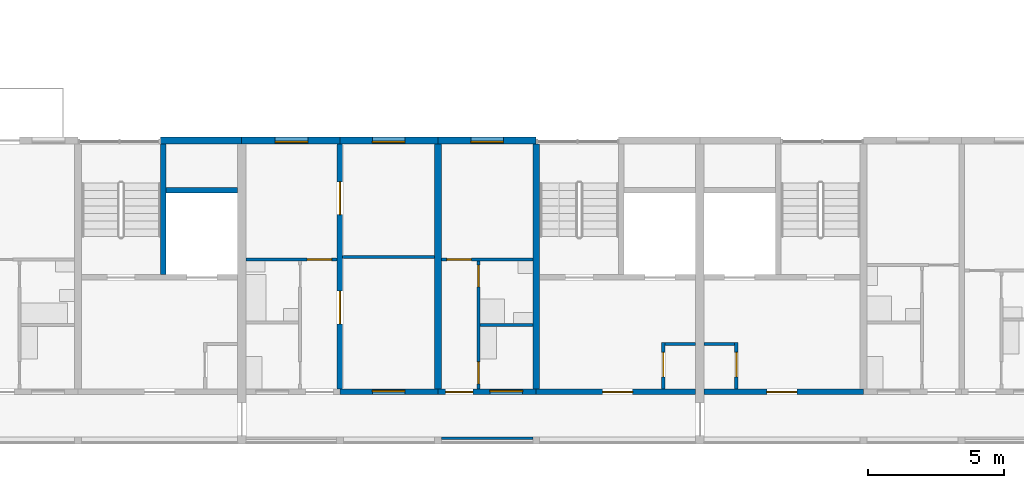
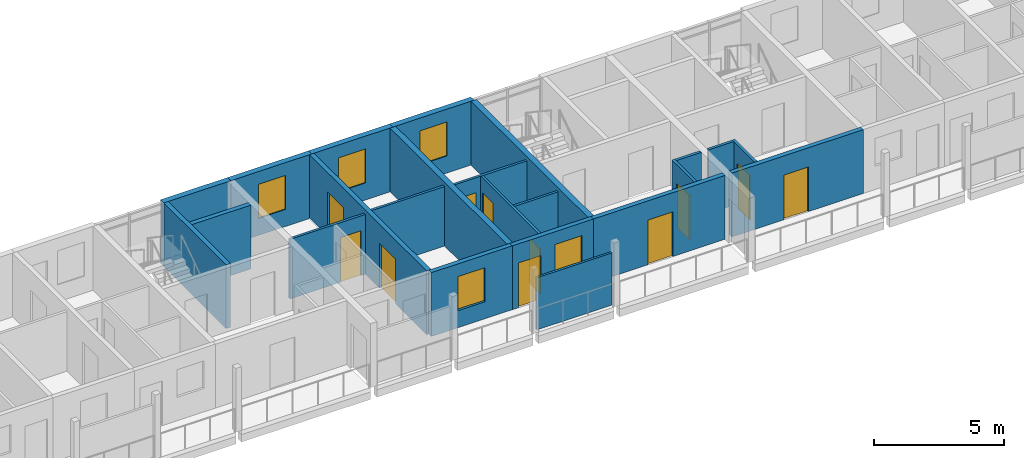
# One storey, part 38 of 93: 23 walls, 11 doors, 5 windows, 16 openings.
"""IFC4 building model written with IfcOpenShell, lengths in metres."""

import ifcopenshell
import ifcopenshell.guid

model = None  # the IFC model being written
_history = None  # IfcOwnerHistory: only IFC2X3 demands one
_inside = {}  # id of a spatial element -> (the spatial element, [elements in it])
_under = {}  # id of a project, library or spatial element -> (it, [spatial elements below it])
_declared = {}  # id of a project -> (the project, [libraries it declares])
_typed = {}  # id of a type object -> (the type object, [elements of that type])
_made_of = {}  # id of a material, layer set ... -> (it, [elements and type objects made of it])


def new_model(schema):
    """Start an empty IFC model of exactly this schema.

    Asked for "IFC4X3", IfcOpenShell would pick the latest addendum, in which some entities
    have other attributes; the version numbers below select the first issue.
    IFC2X3 requires an IfcOwnerHistory on every rooted entity: one is made here for all.
    """
    global model, _history
    if schema == "IFC4X3":
        model = ifcopenshell.file(schema_version=(4, 3, 0, 0))
    else:
        model = ifcopenshell.file(schema=schema)
    _inside.clear()
    _under.clear()
    _declared.clear()
    _typed.clear()
    _made_of.clear()
    _history = None
    if model.schema == "IFC2X3":
        org = make("IfcOrganization", Name="unknown")
        user = make(
            "IfcPersonAndOrganization",
            ThePerson=make("IfcPerson", FamilyName="unknown"),
            TheOrganization=org,
        )
        app = make(
            "IfcApplication",
            ApplicationDeveloper=org,
            Version="unknown",
            ApplicationFullName="unknown",
            ApplicationIdentifier="unknown",
        )
        _history = make(
            "IfcOwnerHistory",
            OwningUser=user,
            OwningApplication=app,
            ChangeAction="ADDED",
            CreationDate=0,
        )
    return model


def make(cls, **values):
    """One entity of the class cls with the attributes given. An attribute that is None is left unset."""
    return model.create_entity(
        cls, **{name: value for name, value in values.items() if value is not None}
    )


def rooted(cls, **values):
    """An entity with a GlobalId (a new one), such as an element, a storey or a relation."""
    return make(cls, GlobalId=ifcopenshell.guid.new(), OwnerHistory=_history, **values)


def si_unit(unit_type, name, prefix=None):
    """IfcSIUnit, for example si_unit("LENGTHUNIT", "METRE", prefix="MILLI")."""
    return make("IfcSIUnit", UnitType=unit_type, Prefix=prefix, Name=name)


def assignment(units):
    """IfcUnitAssignment: the units of a project."""
    return None if units is None else make("IfcUnitAssignment", Units=units)


def point(xyz):
    """IfcCartesianPoint."""
    return None if xyz is None else make("IfcCartesianPoint", Coordinates=xyz)


def direction(xyz):
    """IfcDirection."""
    return None if xyz is None else make("IfcDirection", DirectionRatios=xyz)


def frame(location, z_axis=None, x_axis=None):
    """IfcAxis2Placement3D, a coordinate frame: its origin and axes. An axis left out is left unset."""
    return make(
        "IfcAxis2Placement3D",
        Location=point(location),
        Axis=direction(z_axis),
        RefDirection=direction(x_axis),
    )


def frame_2d(location, x_axis=None):
    """IfcAxis2Placement2D, a coordinate frame in the plane: its origin and x axis."""
    return make(
        "IfcAxis2Placement2D", Location=point(location), RefDirection=direction(x_axis)
    )


def origin():
    """The frame at (0, 0, 0) with its axes left unset."""
    return frame((0.0, 0.0, 0.0))


def place(relative_to, where):
    """IfcLocalPlacement: puts the frame where relative to a parent placement (None: the world)."""
    return make(
        "IfcLocalPlacement", PlacementRelTo=relative_to, RelativePlacement=where
    )


def context(
    kind, dimensions, precision=None, world=None, true_north=None, identifier=None
):
    """IfcGeometricRepresentationContext, for example the 3D "Model" context."""
    return make(
        "IfcGeometricRepresentationContext",
        ContextIdentifier=identifier,
        ContextType=kind,
        CoordinateSpaceDimension=dimensions,
        Precision=precision,
        WorldCoordinateSystem=world,
        TrueNorth=true_north,
    )


def subcontext(parent, identifier, kind, view, scale=None):
    """IfcGeometricRepresentationSubContext, for example "Body" below "Model"."""
    return make(
        "IfcGeometricRepresentationSubContext",
        ContextIdentifier=identifier,
        ContextType=kind,
        ParentContext=parent,
        TargetScale=scale,
        TargetView=view,
    )


def project(units=None, contexts=None):
    """IfcProject with its units and contexts."""
    return rooted(
        "IfcProject",
        Name="project",
        RepresentationContexts=contexts,
        UnitsInContext=assignment(units),
    )


def spatial(cls, under=None, at=None, **own):
    """A site, building, storey or space (cls), placed at a placement, below another one or the project."""
    s = rooted(cls, ObjectPlacement=at, **own)
    if under is not None:
        _under.setdefault(under.id(), (under, []))[1].append(s)
    return s


def profile(cls, at=None, kind="AREA", **sizes):
    """A parametric profile (cls). Its sizes go by their IFC names, for example OverallWidth=200.0."""
    return make(cls, ProfileType=kind, Position=at, **sizes)


def rectangle(**sizes):
    """IfcRectangleProfileDef."""
    return profile("IfcRectangleProfileDef", **sizes)


def extrude(swept, where, along, depth):
    """IfcExtrudedAreaSolid: the profile swept, set in the frame where, extruded along a direction by depth."""
    return make(
        "IfcExtrudedAreaSolid",
        SweptArea=swept,
        Position=where,
        ExtrudedDirection=direction(along),
        Depth=depth,
    )


def shape(context_of_items, identifier, shape_type, items):
    """IfcShapeRepresentation: the items that make up one representation, for example the "Body"."""
    return make(
        "IfcShapeRepresentation",
        ContextOfItems=context_of_items,
        RepresentationIdentifier=identifier,
        RepresentationType=shape_type,
        Items=items,
    )


def material(Name=None, Category=None):
    """IfcMaterial."""
    return make("IfcMaterial", Name=Name, Category=Category)


def layer(
    of_material, thickness, ventilated=None, Name=None, Category=None, Priority=None
):
    """IfcMaterialLayer: one layer of a wall or slab, of a material (None: an air gap)."""
    return make(
        "IfcMaterialLayer",
        Material=of_material,
        LayerThickness=thickness,
        IsVentilated=ventilated,
        Name=Name,
        Category=Category,
        Priority=Priority,
    )


def layer_set(layers, Name=None):
    """IfcMaterialLayerSet."""
    return make("IfcMaterialLayerSet", MaterialLayers=layers, LayerSetName=Name)


def made_of(thing, what):
    """Note that an element or type object is made of a material, layer set ...; save() writes the relation."""
    if what is not None:
        _made_of.setdefault(what.id(), (what, []))[1].append(thing)
    return thing


def type_object(cls, material=None, **own):
    """A type object (cls), such as IfcWallType, which elements share."""
    return made_of(rooted(cls, **own), material)


def element(
    cls,
    number,
    at=None,
    inside=None,
    cuts=None,
    type_object=None,
    material=None,
    context=None,
    identifier="Body",
    shape_type=None,
    held_by="IfcProductDefinitionShape",
    body=None,
    shapes=None,
    **own,
):
    """One element of the class cls, such as IfcWall. Its Tag is "e" and its number.

    at: its placement. inside: the storey or other place that contains it. cuts: it is an
    opening in that element (IfcRelVoidsElement). A single representation is given by context,
    identifier, shape_type and body (its items); several are given by shapes. held_by: the class
    of the entity that holds the representations. save() writes the other relations.
    """
    e = rooted(cls, Tag="e%d" % number, ObjectPlacement=at, **own)
    if body is not None:
        shapes = [shape(context, identifier, shape_type, body)]
    if shapes is not None:
        e.Representation = make(held_by, Representations=shapes)
    if inside is not None:
        _inside.setdefault(inside.id(), (inside, []))[1].append(e)
    if cuts is not None:
        rooted(
            "IfcRelVoidsElement", RelatingBuildingElement=cuts, RelatedOpeningElement=e
        )
    if type_object is not None:
        _typed.setdefault(type_object.id(), (type_object, []))[1].append(e)
    return made_of(e, material)


def fill(opening, filler):
    """IfcRelFillsElement: the door or window that sits in an opening."""
    return rooted(
        "IfcRelFillsElement",
        RelatingOpeningElement=opening,
        RelatedBuildingElement=filler,
    )


def aggregate(whole, parts):
    """IfcRelAggregates: a whole, such as a stair, and the parts it consists of."""
    return rooted("IfcRelAggregates", RelatingObject=whole, RelatedObjects=parts)


def save(model, path):
    """Write the relations noted so far, then the file.

    IfcRelAggregates (storeys below a building ...), IfcRelContainedInSpatialStructure (elements
    in a storey), IfcRelDefinesByType, IfcRelAssociatesMaterial and IfcRelDeclares: one each for
    every whole, place, type object, material and project.
    """
    for whole, parts in _under.values():
        aggregate(whole, parts)
    for where, things in _inside.values():
        rooted(
            "IfcRelContainedInSpatialStructure",
            RelatedElements=things,
            RelatingStructure=where,
        )
    for kind, things in _typed.values():
        rooted("IfcRelDefinesByType", RelatedObjects=things, RelatingType=kind)
    for what, things in _made_of.values():
        rooted("IfcRelAssociatesMaterial", RelatedObjects=things, RelatingMaterial=what)
    for by, libraries in _declared.values():
        rooted("IfcRelDeclares", RelatingContext=by, RelatedDefinitions=libraries)
    model.write(path)


model = new_model("IFC4")

# Units and contexts
model_context = context("Model", 3, precision=1e-05, world=origin(), true_north=direction((0.0, 1.0)))
body_context = subcontext(model_context, "Body", "Model", "MODEL_VIEW")
ifc_project = project(units=[si_unit("LENGTHUNIT", "METRE"), si_unit("AREAUNIT", "SQUARE_METRE"), si_unit("VOLUMEUNIT", "CUBIC_METRE"), si_unit("PLANEANGLEUNIT", "RADIAN"), si_unit("MASSUNIT", "GRAM", prefix="KILO")], contexts=[model_context])

# Site, building, storey
site_placement = place(None, origin())
site = spatial("IfcSite", under=ifc_project, at=site_placement, CompositionType="ELEMENT")
building_placement = place(site_placement, origin())
building = spatial("IfcBuilding", under=site, at=building_placement, Name="Ridgestep Commons", CompositionType="ELEMENT")
storey_placement = place(building_placement, frame((0.0, 0.0, 18.0)))
storey = spatial("IfcBuildingStorey", under=building, at=storey_placement, Name="L06", CompositionType="ELEMENT", Elevation=18.0)

# Wall
ifc_material_1 = material(Name="Concrete C30/37", Category="concrete")
ifc_layer_1 = layer(ifc_material_1, 0.25)
ifc_layer_set_1 = layer_set([ifc_layer_1], Name="Core cross wall 250")
wall_type_1 = type_object("IfcWallType", Name="Core cross wall 250", PredefinedType="SHEAR", material=ifc_layer_set_1)
wall_1_placement = place(storey_placement, frame((90.0, 13.75, 0.0), z_axis=(0.0, 0.0, 1.0), x_axis=(0.0, 1.0, 0.0)))
element("IfcWall", 1, at=wall_1_placement, inside=storey, type_object=wall_type_1, Name="Cross wall A-06-0900", PredefinedType="SHEAR", context=body_context, shape_type="SweptSolid", body=[
    extrude(rectangle(XDim=9.0, YDim=0.25, at=frame_2d((4.5, 0.0))), origin(), (0.0, 0.0, 1.0), 3.0),
])

# Wall, opening, door
ifc_material_2 = material(Name="Concrete C30/37", Category="concrete")
ifc_layer_2 = layer(ifc_material_2, 0.199951171875)
ifc_layer_set_2 = layer_set([ifc_layer_2], Name="Core south wall 200")
wall_type_2 = type_object("IfcWallType", Name="Core south wall 200", PredefinedType="SHEAR", material=ifc_layer_set_2)
wall_2_placement = place(storey_placement, frame((90.0, 13.64990234375, 0.0), z_axis=(0.0, 0.0, 1.0), x_axis=(1.0, 0.0, 0.0)))
wall_2 = element("IfcWall", 2, at=wall_2_placement, inside=storey, type_object=wall_type_2, Name="Core south wall A5C L06", PredefinedType="SHEAR", context=body_context, shape_type="SweptSolid", body=[
    extrude(rectangle(XDim=5.85009765625, YDim=0.199951171875, at=frame_2d((2.925048828125, 0.0))), origin(), (0.0, 0.0, 1.0), 3.0),
])
opening_1_placement = place(wall_2_placement, frame((2.4375, 0.0, 0.0)))
opening_1 = element("IfcOpeningElement", 3, at=opening_1_placement, cuts=wall_2, Name="Opening A5C/06/1", PredefinedType="OPENING", context=body_context, shape_type="SweptSolid", body=[
    extrude(rectangle(XDim=1.10009765625, YDim=2.10009765625, at=frame_2d((0.550048828125, 1.050048828125))), frame((0.0, 0.10986328125, 0.0), z_axis=(0.0, -1.0, 0.0), x_axis=(1.0, 0.0, 0.0)), (0.0, 0.0, 1.0), 0.219970703125),
])
ifc_material_3 = material(Name="Steel fire door", Category="steel")
door_type_1 = type_object("IfcDoorType", Name="Lobby door 1100 x 2100 FD60", OperationType="NOTDEFINED", PredefinedType="DOOR", material=ifc_material_3)
door_1_placement = place(opening_1_placement, origin())
door_1 = element("IfcDoor", 4, at=door_1_placement, inside=storey, type_object=door_type_1, Name="Lobby door A5C/06/1", OperationType="SINGLE_SWING_LEFT", OverallHeight=2.10009765625, OverallWidth=1.10009765625, PredefinedType="DOOR", context=body_context, shape_type="SweptSolid", body=[
    extrude(rectangle(XDim=1.10009765625, YDim=2.10009765625, at=frame_2d((0.550048828125, 1.050048828125))), frame((0.0, 0.02490234375, 0.0), z_axis=(0.0, -1.0, 0.0), x_axis=(1.0, 0.0, 0.0)), (0.0, 0.0, 1.0), 0.050048828125),
])
fill(opening_1, door_1)

wall_3_placement = place(storey_placement, frame((96.14990234375, 13.64990234375, 0.0), z_axis=(0.0, 0.0, 1.0), x_axis=(1.0, 0.0, 0.0)))
wall_3 = element("IfcWall", 5, at=wall_3_placement, inside=storey, type_object=wall_type_2, Name="Core south wall A6C L06", PredefinedType="SHEAR", context=body_context, shape_type="SweptSolid", body=[
    extrude(rectangle(XDim=5.85009765625, YDim=0.199951171875, at=frame_2d((2.925048828125, 0.0))), origin(), (0.0, 0.0, 1.0), 3.0),
])
opening_2_placement = place(wall_3_placement, frame((2.3125, 0.0, 0.0)))
opening_2 = element("IfcOpeningElement", 6, at=opening_2_placement, cuts=wall_3, Name="Opening A6C/06/1", PredefinedType="OPENING", context=body_context, shape_type="SweptSolid", body=[
    extrude(rectangle(XDim=1.10009765625, YDim=2.10009765625, at=frame_2d((0.550048828125, 1.050048828125))), frame((0.0, 0.10986328125, 0.0), z_axis=(0.0, -1.0, 0.0), x_axis=(1.0, 0.0, 0.0)), (0.0, 0.0, 1.0), 0.219970703125),
])
door_2_placement = place(opening_2_placement, origin())
door_2 = element("IfcDoor", 7, at=door_2_placement, inside=storey, type_object=door_type_1, Name="Lobby door A6C/06/1", OperationType="SINGLE_SWING_LEFT", OverallHeight=2.10009765625, OverallWidth=1.10009765625, PredefinedType="DOOR", context=body_context, shape_type="SweptSolid", body=[
    extrude(rectangle(XDim=1.10009765625, YDim=2.10009765625, at=frame_2d((0.550048828125, 1.050048828125))), frame((0.0, 0.02490234375, 0.0), z_axis=(0.0, -1.0, 0.0), x_axis=(1.0, 0.0, 0.0)), (0.0, 0.0, 1.0), 0.050048828125),
])
fill(opening_2, door_2)

ifc_material_4 = material(Name="Concrete C30/37", Category="concrete")
ifc_layer_3 = layer(ifc_material_4, 0.1201171875)
ifc_layer_set_3 = layer_set([ifc_layer_3], Name="Core wall 120")
wall_type_3 = type_object("IfcWallType", Name="Core wall 120", PredefinedType="SHEAR", material=ifc_layer_set_3)
wall_4_placement = place(storey_placement, frame((94.659912109375, 13.75, 0.0), z_axis=(0.0, 0.0, 1.0), x_axis=(0.0, 1.0, 0.0)))
wall_4 = element("IfcWall", 8, at=wall_4_placement, inside=storey, type_object=wall_type_3, Name="Core riser w wall A5C L06", PredefinedType="SHEAR", context=body_context, shape_type="SweptSolid", body=[
    extrude(rectangle(XDim=1.719970703125, YDim=0.1201171875, at=frame_2d((0.85986328125, 0.0))), origin(), (0.0, 0.0, 1.0), 3.0),
])
opening_3_placement = place(wall_4_placement, frame((0.449951171875, 0.0, 0.0)))
opening_3 = element("IfcOpeningElement", 9, at=opening_3_placement, cuts=wall_4, Name="Opening A5C/06/4", PredefinedType="OPENING", context=body_context, shape_type="SweptSolid", body=[
    extrude(rectangle(XDim=0.89990234375, YDim=2.10009765625, at=frame_2d((0.449951171875, 1.050048828125))), frame((0.0, 0.070068359375, 0.0), z_axis=(0.0, -1.0, 0.0), x_axis=(1.0, 0.0, 0.0)), (0.0, 0.0, 1.0), 0.14013671875),
])
ifc_material_5 = material(Name="Steel fire door", Category="steel")
door_type_2 = type_object("IfcDoorType", Name="Riser door 900 x 2100 FD60", OperationType="NOTDEFINED", PredefinedType="DOOR", material=ifc_material_5)
door_3_placement = place(opening_3_placement, origin())
door_3 = element("IfcDoor", 10, at=door_3_placement, inside=storey, type_object=door_type_2, Name="Riser door A5C/06/4", OperationType="SINGLE_SWING_LEFT", OverallHeight=2.10009765625, OverallWidth=0.89990234375, PredefinedType="DOOR", context=body_context, shape_type="SweptSolid", body=[
    extrude(rectangle(XDim=0.89990234375, YDim=2.10009765625, at=frame_2d((0.449951171875, 1.050048828125))), frame((0.0, 0.02490234375, 0.0), z_axis=(0.0, -1.0, 0.0), x_axis=(1.0, 0.0, 0.0)), (0.0, 0.0, 1.0), 0.050048828125),
])
fill(opening_3, door_3)

# Wall
wall_5_placement = place(storey_placement, frame((94.719970703125, 15.409912109375, 0.0), z_axis=(0.0, 0.0, 1.0), x_axis=(1.0, 0.0, 0.0)))
element("IfcWall", 11, at=wall_5_placement, inside=storey, type_object=wall_type_3, Name="Core riser n wall A5C L06", PredefinedType="SHEAR", context=body_context, shape_type="SweptSolid", body=[
    extrude(rectangle(XDim=1.130126953125, YDim=0.1201171875, at=frame_2d((0.56494140625, 0.0))), origin(), (0.0, 0.0, 1.0), 3.0),
])

# Wall, opening, door
wall_6_placement = place(storey_placement, frame((97.340087890625, 13.75, 0.0), z_axis=(0.0, 0.0, 1.0), x_axis=(0.0, 1.0, 0.0)))
wall_6 = element("IfcWall", 12, at=wall_6_placement, inside=storey, type_object=wall_type_3, Name="Core riser w wall A6C L06", PredefinedType="SHEAR", context=body_context, shape_type="SweptSolid", body=[
    extrude(rectangle(XDim=1.719970703125, YDim=0.1201171875, at=frame_2d((0.85986328125, 0.0))), origin(), (0.0, 0.0, 1.0), 3.0),
])
opening_4_placement = place(wall_6_placement, frame((0.449951171875, 0.0, 0.0)))
opening_4 = element("IfcOpeningElement", 13, at=opening_4_placement, cuts=wall_6, Name="Opening A6C/06/4", PredefinedType="OPENING", context=body_context, shape_type="SweptSolid", body=[
    extrude(rectangle(XDim=0.89990234375, YDim=2.10009765625, at=frame_2d((0.449951171875, 1.050048828125))), frame((0.0, 0.070068359375, 0.0), z_axis=(0.0, -1.0, 0.0), x_axis=(1.0, 0.0, 0.0)), (0.0, 0.0, 1.0), 0.14013671875),
])
door_4_placement = place(opening_4_placement, origin())
door_4 = element("IfcDoor", 14, at=door_4_placement, inside=storey, type_object=door_type_2, Name="Riser door A6C/06/4", OperationType="SINGLE_SWING_RIGHT", OverallHeight=2.10009765625, OverallWidth=0.89990234375, PredefinedType="DOOR", context=body_context, shape_type="SweptSolid", body=[
    extrude(rectangle(XDim=0.89990234375, YDim=2.10009765625, at=frame_2d((0.449951171875, 1.050048828125))), frame((0.0, 0.02490234375, 0.0), z_axis=(0.0, -1.0, 0.0), x_axis=(1.0, 0.0, 0.0)), (0.0, 0.0, 1.0), 0.050048828125),
])
fill(opening_4, door_4)

# Walls
wall_7_placement = place(storey_placement, frame((96.14990234375, 15.409912109375, 0.0), z_axis=(0.0, 0.0, 1.0), x_axis=(1.0, 0.0, 0.0)))
element("IfcWall", 15, at=wall_7_placement, inside=storey, type_object=wall_type_3, Name="Core riser n wall A6C L06", PredefinedType="SHEAR", context=body_context, shape_type="SweptSolid", body=[
    extrude(rectangle(XDim=1.130126953125, YDim=0.1201171875, at=frame_2d((0.56494140625, 0.0))), origin(), (0.0, 0.0, 1.0), 3.0),
])
ifc_material_6 = material(Name="Concrete C30/37", Category="concrete")
ifc_layer_4 = layer(ifc_material_6, 0.199951171875)
ifc_layer_set_4 = layer_set([ifc_layer_4], Name="Core wall 200")
wall_type_4 = type_object("IfcWallType", Name="Core wall 200", PredefinedType="SHEAR", material=ifc_layer_set_4)
wall_8_placement = place(storey_placement, frame((76.324951171875, 17.949951171875, 0.0), z_axis=(0.0, 0.0, 1.0), x_axis=(0.0, 1.0, 0.0)))
element("IfcWall", 16, at=wall_8_placement, inside=storey, type_object=wall_type_4, Name="Core stair wall A4C L06", PredefinedType="SHEAR", context=body_context, shape_type="SweptSolid", body=[
    extrude(rectangle(XDim=4.800048828125, YDim=0.199951171875, at=frame_2d((2.39990234375, 0.0))), origin(), (0.0, 0.0, 1.0), 3.0),
])
wall_9_placement = place(storey_placement, frame((76.425048828125, 21.050048828125, 0.0), z_axis=(0.0, 0.0, 1.0), x_axis=(1.0, 0.0, 0.0)))
element("IfcWall", 17, at=wall_9_placement, inside=storey, type_object=wall_type_4, Name="Core duct wall A4C L06", PredefinedType="SHEAR", context=body_context, shape_type="SweptSolid", body=[
    extrude(rectangle(XDim=2.625, YDim=0.199951171875, at=frame_2d((1.3125, 0.0))), origin(), (0.0, 0.0, 1.0), 3.0),
])

# Wall, openings, doors
ifc_material_7 = material(Name="Precast concrete C40/50", Category="concrete")
ifc_layer_5 = layer(ifc_material_7, 0.199951171875)
ifc_layer_set_5 = layer_set([ifc_layer_5], Name="Cross wall 200")
wall_type_5 = type_object("IfcWallType", Name="Cross wall 200", PredefinedType="SHEAR", material=ifc_layer_set_5)
wall_10_placement = place(storey_placement, frame((82.800048828125, 13.75, 0.0), z_axis=(0.0, 0.0, 1.0), x_axis=(0.0, 1.0, 0.0)))
wall_10 = element("IfcWall", 18, at=wall_10_placement, inside=storey, type_object=wall_type_5, Name="Cross wall A-06-0828", PredefinedType="SHEAR", context=body_context, shape_type="SweptSolid", body=[
    extrude(rectangle(XDim=9.0, YDim=0.199951171875, at=frame_2d((4.5, 0.0))), origin(), (0.0, 0.0, 1.0), 3.0),
])
opening_5_placement = place(wall_10_placement, frame((2.39990234375, 0.0, 0.0)))
opening_5 = element("IfcOpeningElement", 19, at=opening_5_placement, cuts=wall_10, Name="Opening A5-06a/5", PredefinedType="OPENING", context=body_context, shape_type="SweptSolid", body=[
    extrude(rectangle(XDim=1.199951171875, YDim=2.10009765625, at=frame_2d((0.60009765625, 1.050048828125))), frame((0.0, 0.10986328125, 0.0), z_axis=(0.0, -1.0, 0.0), x_axis=(1.0, 0.0, 0.0)), (0.0, 0.0, 1.0), 0.219970703125),
])
opening_6_placement = place(wall_10_placement, frame((6.39990234375, 0.0, 0.0)))
opening_6 = element("IfcOpeningElement", 20, at=opening_6_placement, cuts=wall_10, Name="Opening A5-06a/6", PredefinedType="OPENING", context=body_context, shape_type="SweptSolid", body=[
    extrude(rectangle(XDim=1.199951171875, YDim=2.10009765625, at=frame_2d((0.60009765625, 1.050048828125))), frame((0.0, 0.10986328125, 0.0), z_axis=(0.0, -1.0, 0.0), x_axis=(1.0, 0.0, 0.0)), (0.0, 0.0, 1.0), 0.219970703125),
])
ifc_material_8 = material(Name="Timber door leaf", Category="wood")
door_type_3 = type_object("IfcDoorType", Name="Double door 1200 x 2100", OperationType="DOUBLE_DOOR_SINGLE_SWING", PredefinedType="DOOR", material=ifc_material_8)
door_5_placement = place(opening_5_placement, origin())
door_5 = element("IfcDoor", 21, at=door_5_placement, inside=storey, type_object=door_type_3, Name="Double door A5-06a/5", OperationType="DOUBLE_DOOR_SINGLE_SWING", OverallHeight=2.10009765625, OverallWidth=1.199951171875, PredefinedType="DOOR", context=body_context, shape_type="SweptSolid", body=[
    extrude(rectangle(XDim=1.199951171875, YDim=2.10009765625, at=frame_2d((0.60009765625, 1.050048828125))), frame((0.0, 0.02490234375, 0.0), z_axis=(0.0, -1.0, 0.0), x_axis=(1.0, 0.0, 0.0)), (0.0, 0.0, 1.0), 0.050048828125),
])
fill(opening_5, door_5)
door_6_placement = place(opening_6_placement, origin())
door_6 = element("IfcDoor", 22, at=door_6_placement, inside=storey, type_object=door_type_3, Name="Double door A5-06a/6", OperationType="DOUBLE_DOOR_SINGLE_SWING", OverallHeight=2.10009765625, OverallWidth=1.199951171875, PredefinedType="DOOR", context=body_context, shape_type="SweptSolid", body=[
    extrude(rectangle(XDim=1.199951171875, YDim=2.10009765625, at=frame_2d((0.60009765625, 1.050048828125))), frame((0.0, 0.02490234375, 0.0), z_axis=(0.0, -1.0, 0.0), x_axis=(1.0, 0.0, 0.0)), (0.0, 0.0, 1.0), 0.050048828125),
])
fill(opening_6, door_6)

# Walls
ifc_material_9 = material(Name="Precast concrete C40/50", Category="concrete")
ifc_layer_6 = layer(ifc_material_9, 0.25)
ifc_layer_set_6 = layer_set([ifc_layer_6], Name="Cross wall 250")
wall_type_6 = type_object("IfcWallType", Name="Cross wall 250", PredefinedType="SHEAR", material=ifc_layer_set_6)
wall_11_placement = place(storey_placement, frame((86.39990234375, 13.75, 0.0), z_axis=(0.0, 0.0, 1.0), x_axis=(0.0, 1.0, 0.0)))
element("IfcWall", 23, at=wall_11_placement, inside=storey, type_object=wall_type_6, Name="Cross wall A-06-0864", PredefinedType="SHEAR", context=body_context, shape_type="SweptSolid", body=[
    extrude(rectangle(XDim=9.0, YDim=0.25, at=frame_2d((4.5, 0.0))), origin(), (0.0, 0.0, 1.0), 3.0),
])
ifc_material_10 = material(Name="Precast concrete C40/50", Category="concrete")
ifc_layer_7 = layer(ifc_material_10, 0.25)
ifc_layer_set_7 = layer_set([ifc_layer_7], Name="North facade panel 250")
wall_type_7 = type_object("IfcWallType", Name="North facade panel 250", PredefinedType="SOLIDWALL", material=ifc_layer_set_7)
wall_12_placement = place(storey_placement, frame((76.22509765625, 22.875, 0.0), z_axis=(0.0, 0.0, 1.0), x_axis=(1.0, 0.0, 0.0)))
element("IfcWall", 24, at=wall_12_placement, inside=storey, type_object=wall_type_7, Name="North panel A4C L06", PredefinedType="SOLIDWALL", context=body_context, shape_type="SweptSolid", body=[
    extrude(rectangle(XDim=2.974853515625, YDim=0.25, at=frame_2d((1.4873046875, 0.0))), origin(), (0.0, 0.0, 1.0), 3.0),
])

# Wall, opening, window
wall_13_placement = place(storey_placement, frame((79.199951171875, 22.875, 0.0), z_axis=(0.0, 0.0, 1.0), x_axis=(1.0, 0.0, 0.0)))
wall_13 = element("IfcWall", 25, at=wall_13_placement, inside=storey, type_object=wall_type_7, Name="North panel A5T1 L06", PredefinedType="SOLIDWALL", context=body_context, shape_type="SweptSolid", body=[
    extrude(rectangle(XDim=3.60009765625, YDim=0.25, at=frame_2d((1.800048828125, 0.0))), origin(), (0.0, 0.0, 1.0), 3.0),
])
opening_7_placement = place(wall_13_placement, frame((1.22509765625, 0.0, 0.800048828125)))
opening_7 = element("IfcOpeningElement", 26, at=opening_7_placement, cuts=wall_13, Name="Opening W11", PredefinedType="OPENING", context=body_context, shape_type="SweptSolid", body=[
    extrude(rectangle(XDim=1.199951171875, YDim=1.60009765625, at=frame_2d((0.60009765625, 0.800048828125))), frame((0.0, 0.135009765625, 0.0), z_axis=(0.0, -1.0, 0.0), x_axis=(1.0, 0.0, 0.0)), (0.0, 0.0, 1.0), 0.27001953125),
])
ifc_material_11 = material(Name="Aluminium 6063-T6 and glass", Category="aluminium")
window_type_1 = type_object("IfcWindowType", Name="Flat window 1200 x 1600", PartitioningType="SINGLE_PANEL", PredefinedType="WINDOW", material=ifc_material_11)
window_1_placement = place(opening_7_placement, origin())
window_1 = element("IfcWindow", 27, at=window_1_placement, inside=storey, type_object=window_type_1, Name="Window A5-06a 4", OverallHeight=1.60009765625, OverallWidth=1.199951171875, PartitioningType="SINGLE_PANEL", PredefinedType="WINDOW", context=body_context, shape_type="SweptSolid", body=[
    extrude(rectangle(XDim=1.199951171875, YDim=1.60009765625, at=frame_2d((0.60009765625, 0.800048828125))), frame((0.0, -0.02490234375, 0.0), z_axis=(0.0, -1.0, 0.0), x_axis=(1.0, 0.0, 0.0)), (0.0, 0.0, 1.0), 0.06005859375),
])
fill(opening_7, window_1)

wall_14_placement = place(storey_placement, frame((82.800048828125, 22.875, 0.0), z_axis=(0.0, 0.0, 1.0), x_axis=(1.0, 0.0, 0.0)))
wall_14 = element("IfcWall", 28, at=wall_14_placement, inside=storey, type_object=wall_type_7, Name="North panel A5T2 L06", PredefinedType="SOLIDWALL", context=body_context, shape_type="SweptSolid", body=[
    extrude(rectangle(XDim=3.599853515625, YDim=0.25, at=frame_2d((1.7998046875, 0.0))), origin(), (0.0, 0.0, 1.0), 3.0),
])
opening_8_placement = place(wall_14_placement, frame((1.1875, 0.0, 0.800048828125)))
opening_8 = element("IfcOpeningElement", 29, at=opening_8_placement, cuts=wall_14, Name="Opening W11", PredefinedType="OPENING", context=body_context, shape_type="SweptSolid", body=[
    extrude(rectangle(XDim=1.199951171875, YDim=1.60009765625, at=frame_2d((0.60009765625, 0.800048828125))), frame((0.0, 0.135009765625, 0.0), z_axis=(0.0, -1.0, 0.0), x_axis=(1.0, 0.0, 0.0)), (0.0, 0.0, 1.0), 0.27001953125),
])
window_2_placement = place(opening_8_placement, origin())
window_2 = element("IfcWindow", 30, at=window_2_placement, inside=storey, type_object=window_type_1, Name="Window A5-06a 2", OverallHeight=1.60009765625, OverallWidth=1.199951171875, PartitioningType="SINGLE_PANEL", PredefinedType="WINDOW", context=body_context, shape_type="SweptSolid", body=[
    extrude(rectangle(XDim=1.199951171875, YDim=1.60009765625, at=frame_2d((0.60009765625, 0.800048828125))), frame((0.0, -0.02490234375, 0.0), z_axis=(0.0, -1.0, 0.0), x_axis=(1.0, 0.0, 0.0)), (0.0, 0.0, 1.0), 0.06005859375),
])
fill(opening_8, window_2)

wall_15_placement = place(storey_placement, frame((86.39990234375, 22.875, 0.0), z_axis=(0.0, 0.0, 1.0), x_axis=(1.0, 0.0, 0.0)))
wall_15 = element("IfcWall", 31, at=wall_15_placement, inside=storey, type_object=wall_type_7, Name="North panel A5T3 L06", PredefinedType="SOLIDWALL", context=body_context, shape_type="SweptSolid", body=[
    extrude(rectangle(XDim=3.60009765625, YDim=0.25, at=frame_2d((1.800048828125, 0.0))), origin(), (0.0, 0.0, 1.0), 3.0),
])
opening_9_placement = place(wall_15_placement, frame((1.199951171875, 0.0, 0.800048828125)))
opening_9 = element("IfcOpeningElement", 32, at=opening_9_placement, cuts=wall_15, Name="Opening W11", PredefinedType="OPENING", context=body_context, shape_type="SweptSolid", body=[
    extrude(rectangle(XDim=1.199951171875, YDim=1.60009765625, at=frame_2d((0.60009765625, 0.800048828125))), frame((0.0, 0.135009765625, 0.0), z_axis=(0.0, -1.0, 0.0), x_axis=(1.0, 0.0, 0.0)), (0.0, 0.0, 1.0), 0.27001953125),
])
window_3_placement = place(opening_9_placement, origin())
window_3 = element("IfcWindow", 33, at=window_3_placement, inside=storey, type_object=window_type_1, Name="Window A5-06b 2", OverallHeight=1.60009765625, OverallWidth=1.199951171875, PartitioningType="SINGLE_PANEL", PredefinedType="WINDOW", context=body_context, shape_type="SweptSolid", body=[
    extrude(rectangle(XDim=1.199951171875, YDim=1.60009765625, at=frame_2d((0.60009765625, 0.800048828125))), frame((0.0, -0.02490234375, 0.0), z_axis=(0.0, -1.0, 0.0), x_axis=(1.0, 0.0, 0.0)), (0.0, 0.0, 1.0), 0.06005859375),
])
fill(opening_9, window_3)

# Wall, opening, door
ifc_material_12 = material(Name="Common brick 110 mm", Category="masonry")
ifc_layer_8 = layer(ifc_material_12, 0.110107421875)
ifc_layer_set_8 = layer_set([ifc_layer_8], Name="Partition 110")
wall_type_8 = type_object("IfcWallType", Name="Partition 110", PredefinedType="PARTITIONING", material=ifc_layer_set_8)
wall_16_placement = place(storey_placement, frame((79.35009765625, 18.5048828125, 0.0), z_axis=(0.0, 0.0, 1.0), x_axis=(1.0, 0.0, 0.0)))
wall_16 = element("IfcWall", 34, at=wall_16_placement, inside=storey, type_object=wall_type_8, Name="Partition A5-06a", PredefinedType="PARTITIONING", context=body_context, shape_type="SweptSolid", body=[
    extrude(rectangle(XDim=3.349853515625, YDim=0.110107421875, at=frame_2d((1.6748046875, 0.0))), origin(), (0.0, 0.0, 1.0), 2.800048828125),
])
opening_10_placement = place(wall_16_placement, frame((2.25, 0.0, 0.0)))
opening_10 = element("IfcOpeningElement", 35, at=opening_10_placement, cuts=wall_16, Name="Opening A5-06a/4", PredefinedType="OPENING", context=body_context, shape_type="SweptSolid", body=[
    extrude(rectangle(XDim=0.89990234375, YDim=2.10009765625, at=frame_2d((0.449951171875, 1.050048828125))), frame((0.0, 0.06494140625, 0.0), z_axis=(0.0, -1.0, 0.0), x_axis=(1.0, 0.0, 0.0)), (0.0, 0.0, 1.0), 0.130126953125),
])
ifc_material_13 = material(Name="Timber door leaf", Category="wood")
door_type_4 = type_object("IfcDoorType", Name="Internal door 900 x 2100", OperationType="NOTDEFINED", PredefinedType="DOOR", material=ifc_material_13)
door_7_placement = place(opening_10_placement, origin())
door_7 = element("IfcDoor", 36, at=door_7_placement, inside=storey, type_object=door_type_4, Name="Internal door A5-06a/4", OperationType="SINGLE_SWING_RIGHT", OverallHeight=2.10009765625, OverallWidth=0.89990234375, PredefinedType="DOOR", context=body_context, shape_type="SweptSolid", body=[
    extrude(rectangle(XDim=0.89990234375, YDim=2.10009765625, at=frame_2d((0.449951171875, 1.050048828125))), frame((0.0, 0.02490234375, 0.0), z_axis=(0.0, -1.0, 0.0), x_axis=(1.0, 0.0, 0.0)), (0.0, 0.0, 1.0), 0.050048828125),
])
fill(opening_10, door_7)

# Wall
wall_17_placement = place(storey_placement, frame((82.89990234375, 18.60498046875, 0.0), z_axis=(0.0, 0.0, 1.0), x_axis=(1.0, 0.0, 0.0)))
element("IfcWall", 37, at=wall_17_placement, inside=storey, type_object=wall_type_8, Name="Partition A5-06a", PredefinedType="PARTITIONING", context=body_context, shape_type="SweptSolid", body=[
    extrude(rectangle(XDim=3.375, YDim=0.110107421875, at=frame_2d((1.6875, 0.0))), origin(), (0.0, 0.0, 1.0), 2.800048828125),
])

# Wall, openings, doors
wall_18_placement = place(storey_placement, frame((87.8798828125, 13.75, 0.0), z_axis=(0.0, 0.0, 1.0), x_axis=(0.0, 1.0, 0.0)))
wall_18 = element("IfcWall", 38, at=wall_18_placement, inside=storey, type_object=wall_type_8, Name="Partition A5-06b", PredefinedType="PARTITIONING", context=body_context, shape_type="SweptSolid", body=[
    extrude(rectangle(XDim=4.699951171875, YDim=0.110107421875, at=frame_2d((2.35009765625, 0.0))), origin(), (0.0, 0.0, 1.0), 2.800048828125),
])
opening_11_placement = place(wall_18_placement, frame((0.199951171875, 0.0, 0.0)))
opening_11 = element("IfcOpeningElement", 39, at=opening_11_placement, cuts=wall_18, Name="Opening A5-06b/2", PredefinedType="OPENING", context=body_context, shape_type="SweptSolid", body=[
    extrude(rectangle(XDim=0.800048828125, YDim=2.10009765625, at=frame_2d((0.39990234375, 1.050048828125))), frame((0.0, 0.06494140625, 0.0), z_axis=(0.0, -1.0, 0.0), x_axis=(1.0, 0.0, 0.0)), (0.0, 0.0, 1.0), 0.130126953125),
])
opening_12_placement = place(wall_18_placement, frame((3.75, 0.0, 0.0)))
opening_12 = element("IfcOpeningElement", 40, at=opening_12_placement, cuts=wall_18, Name="Opening A5-06b/3", PredefinedType="OPENING", context=body_context, shape_type="SweptSolid", body=[
    extrude(rectangle(XDim=0.800048828125, YDim=2.10009765625, at=frame_2d((0.39990234375, 1.050048828125))), frame((0.0, 0.06494140625, 0.0), z_axis=(0.0, -1.0, 0.0), x_axis=(1.0, 0.0, 0.0)), (0.0, 0.0, 1.0), 0.130126953125),
])
ifc_material_14 = material(Name="Timber door leaf", Category="wood")
door_type_5 = type_object("IfcDoorType", Name="Internal door 800 x 2100", OperationType="NOTDEFINED", PredefinedType="DOOR", material=ifc_material_14)
door_8_placement = place(opening_11_placement, origin())
door_8 = element("IfcDoor", 41, at=door_8_placement, inside=storey, type_object=door_type_5, Name="Internal door A5-06b/2", OperationType="SINGLE_SWING_RIGHT", OverallHeight=2.10009765625, OverallWidth=0.800048828125, PredefinedType="DOOR", context=body_context, shape_type="SweptSolid", body=[
    extrude(rectangle(XDim=0.800048828125, YDim=2.10009765625, at=frame_2d((0.39990234375, 1.050048828125))), frame((0.0, 0.02490234375, 0.0), z_axis=(0.0, -1.0, 0.0), x_axis=(1.0, 0.0, 0.0)), (0.0, 0.0, 1.0), 0.050048828125),
])
fill(opening_11, door_8)
door_9_placement = place(opening_12_placement, origin())
door_9 = element("IfcDoor", 42, at=door_9_placement, inside=storey, type_object=door_type_5, Name="Internal door A5-06b/3", OperationType="SINGLE_SWING_LEFT", OverallHeight=2.10009765625, OverallWidth=0.800048828125, PredefinedType="DOOR", context=body_context, shape_type="SweptSolid", body=[
    extrude(rectangle(XDim=0.800048828125, YDim=2.10009765625, at=frame_2d((0.39990234375, 1.050048828125))), frame((0.0, 0.02490234375, 0.0), z_axis=(0.0, -1.0, 0.0), x_axis=(1.0, 0.0, 0.0)), (0.0, 0.0, 1.0), 0.050048828125),
])
fill(opening_12, door_9)

# Wall
wall_19_placement = place(storey_placement, frame((87.93505859375, 16.10498046875, 0.0), z_axis=(0.0, 0.0, 1.0), x_axis=(1.0, 0.0, 0.0)))
element("IfcWall", 43, at=wall_19_placement, inside=storey, type_object=wall_type_8, Name="Partition A5-06b", PredefinedType="PARTITIONING", context=body_context, shape_type="SweptSolid", body=[
    extrude(rectangle(XDim=1.93994140625, YDim=0.110107421875, at=frame_2d((0.969970703125, 0.0))), origin(), (0.0, 0.0, 1.0), 2.800048828125),
])

# Wall, opening, door
wall_20_placement = place(storey_placement, frame((86.52490234375, 18.5048828125, 0.0), z_axis=(0.0, 0.0, 1.0), x_axis=(1.0, 0.0, 0.0)))
wall_20 = element("IfcWall", 44, at=wall_20_placement, inside=storey, type_object=wall_type_8, Name="Partition A5-06b", PredefinedType="PARTITIONING", context=body_context, shape_type="SweptSolid", body=[
    extrude(rectangle(XDim=3.35009765625, YDim=0.110107421875, at=frame_2d((1.675048828125, 0.0))), origin(), (0.0, 0.0, 1.0), 2.800048828125),
])
opening_13_placement = place(wall_20_placement, frame((0.199951171875, 0.0, 0.0)))
opening_13 = element("IfcOpeningElement", 45, at=opening_13_placement, cuts=wall_20, Name="Opening A5-06b/4", PredefinedType="OPENING", context=body_context, shape_type="SweptSolid", body=[
    extrude(rectangle(XDim=0.89990234375, YDim=2.10009765625, at=frame_2d((0.449951171875, 1.050048828125))), frame((0.0, 0.06494140625, 0.0), z_axis=(0.0, -1.0, 0.0), x_axis=(1.0, 0.0, 0.0)), (0.0, 0.0, 1.0), 0.130126953125),
])
door_10_placement = place(opening_13_placement, origin())
door_10 = element("IfcDoor", 46, at=door_10_placement, inside=storey, type_object=door_type_4, Name="Internal door A5-06b/4", OperationType="SINGLE_SWING_RIGHT", OverallHeight=2.10009765625, OverallWidth=0.89990234375, PredefinedType="DOOR", context=body_context, shape_type="SweptSolid", body=[
    extrude(rectangle(XDim=0.89990234375, YDim=2.10009765625, at=frame_2d((0.449951171875, 1.050048828125))), frame((0.0, 0.02490234375, 0.0), z_axis=(0.0, -1.0, 0.0), x_axis=(1.0, 0.0, 0.0)), (0.0, 0.0, 1.0), 0.050048828125),
])
fill(opening_13, door_10)

# Wall
ifc_material_15 = material(Name="Precast concrete C30/37", Category="concrete")
ifc_layer_9 = layer(ifc_material_15, 0.10009765625)
ifc_layer_set_9 = layer_set([ifc_layer_9], Name="Perforated gallery screen 3350 x 2450 x 100")
wall_type_9 = type_object("IfcWallType", Name="Perforated gallery screen 3350 x 2450 x 100", PredefinedType="SOLIDWALL", material=ifc_layer_set_9)
wall_21_placement = place(storey_placement, frame((86.52490234375, 11.949951171875, 0.0), z_axis=(0.0, 0.0, 1.0), x_axis=(1.0, 0.0, 0.0)))
element("IfcWall", 47, at=wall_21_placement, inside=storey, type_object=wall_type_9, Name="Gallery screen A5T3 06", PredefinedType="SOLIDWALL", context=body_context, shape_type="SweptSolid", body=[
    extrude(rectangle(XDim=3.35009765625, YDim=0.10009765625, at=frame_2d((1.675048828125, 0.0))), origin(), (0.0, 0.0, 1.0), 2.449951171875),
])

# Wall, opening, window
ifc_material_16 = material(Name="Precast concrete C40/50", Category="concrete")
ifc_layer_10 = layer(ifc_material_16, 0.199951171875)
ifc_layer_set_10 = layer_set([ifc_layer_10], Name="South facade panel 200")
wall_type_10 = type_object("IfcWallType", Name="South facade panel 200", PredefinedType="SOLIDWALL", material=ifc_layer_set_10)
wall_22_placement = place(storey_placement, frame((82.800048828125, 13.64990234375, 0.0), z_axis=(0.0, 0.0, 1.0), x_axis=(1.0, 0.0, 0.0)))
wall_22 = element("IfcWall", 48, at=wall_22_placement, inside=storey, type_object=wall_type_10, Name="South panel A5T2 L06", PredefinedType="SOLIDWALL", context=body_context, shape_type="SweptSolid", body=[
    extrude(rectangle(XDim=3.599853515625, YDim=0.199951171875, at=frame_2d((1.7998046875, 0.0))), origin(), (0.0, 0.0, 1.0), 3.0),
])
opening_14_placement = place(wall_22_placement, frame((1.1875, 0.0, 0.800048828125)))
opening_14 = element("IfcOpeningElement", 49, at=opening_14_placement, cuts=wall_22, Name="Opening W11", PredefinedType="OPENING", context=body_context, shape_type="SweptSolid", body=[
    extrude(rectangle(XDim=1.199951171875, YDim=1.60009765625, at=frame_2d((0.60009765625, 0.800048828125))), frame((0.0, 0.10986328125, 0.0), z_axis=(0.0, -1.0, 0.0), x_axis=(1.0, 0.0, 0.0)), (0.0, 0.0, 1.0), 0.219970703125),
])
window_4_placement = place(opening_14_placement, origin())
window_4 = element("IfcWindow", 50, at=window_4_placement, inside=storey, type_object=window_type_1, Name="Window A5-06a 1", OverallHeight=1.60009765625, OverallWidth=1.199951171875, PartitioningType="SINGLE_PANEL", PredefinedType="WINDOW", context=body_context, shape_type="SweptSolid", body=[
    extrude(rectangle(XDim=1.199951171875, YDim=1.60009765625, at=frame_2d((0.60009765625, 0.800048828125))), frame((0.0, 0.06005859375, 0.0), z_axis=(0.0, -1.0, 0.0), x_axis=(1.0, 0.0, 0.0)), (0.0, 0.0, 1.0), 0.06005859375),
])
fill(opening_14, window_4)

# Wall, openings, door, window
wall_23_placement = place(storey_placement, frame((86.39990234375, 13.64990234375, 0.0), z_axis=(0.0, 0.0, 1.0), x_axis=(1.0, 0.0, 0.0)))
wall_23 = element("IfcWall", 51, at=wall_23_placement, inside=storey, type_object=wall_type_10, Name="South panel A5T3 L06", PredefinedType="SOLIDWALL", context=body_context, shape_type="SweptSolid", body=[
    extrude(rectangle(XDim=3.60009765625, YDim=0.199951171875, at=frame_2d((1.800048828125, 0.0))), origin(), (0.0, 0.0, 1.0), 3.0),
])
opening_15_placement = place(wall_23_placement, frame((1.905029296875, 0.0, 1.10009765625)))
opening_15 = element("IfcOpeningElement", 52, at=opening_15_placement, cuts=wall_23, Name="Opening W08", PredefinedType="OPENING", context=body_context, shape_type="SweptSolid", body=[
    extrude(rectangle(XDim=1.199951171875, YDim=1.300048828125, at=frame_2d((0.60009765625, 0.64990234375))), frame((0.0, 0.10986328125, 0.0), z_axis=(0.0, -1.0, 0.0), x_axis=(1.0, 0.0, 0.0)), (0.0, 0.0, 1.0), 0.219970703125),
])
opening_16_placement = place(wall_23_placement, frame((0.27490234375, 0.0, 0.0)))
opening_16 = element("IfcOpeningElement", 53, at=opening_16_placement, cuts=wall_23, Name="Opening A5-06b/1", PredefinedType="OPENING", context=body_context, shape_type="SweptSolid", body=[
    extrude(rectangle(XDim=1.0, YDim=2.10009765625, at=frame_2d((0.5, 1.050048828125))), frame((0.0, 0.10986328125, 0.0), z_axis=(0.0, -1.0, 0.0), x_axis=(1.0, 0.0, 0.0)), (0.0, 0.0, 1.0), 0.219970703125),
])
ifc_material_17 = material(Name="Timber door leaf", Category="wood")
door_type_6 = type_object("IfcDoorType", Name="Flat entrance door 1000 x 2100 FD30S", OperationType="NOTDEFINED", PredefinedType="DOOR", material=ifc_material_17)
door_11_placement = place(opening_16_placement, origin())
door_11 = element("IfcDoor", 54, at=door_11_placement, inside=storey, type_object=door_type_6, Name="Flat entrance door A5-06b/1", OperationType="SINGLE_SWING_LEFT", OverallHeight=2.10009765625, OverallWidth=1.0, PredefinedType="DOOR", context=body_context, shape_type="SweptSolid", body=[
    extrude(rectangle(XDim=1.0, YDim=2.10009765625, at=frame_2d((0.5, 1.050048828125))), frame((0.0, 0.02490234375, 0.0), z_axis=(0.0, -1.0, 0.0), x_axis=(1.0, 0.0, 0.0)), (0.0, 0.0, 1.0), 0.050048828125),
])
fill(opening_16, door_11)
ifc_material_18 = material(Name="Aluminium 6063-T6 and glass", Category="aluminium")
window_type_2 = type_object("IfcWindowType", Name="Flat window 1200 x 1300", PartitioningType="SINGLE_PANEL", PredefinedType="WINDOW", material=ifc_material_18)
window_5_placement = place(opening_15_placement, origin())
window_5 = element("IfcWindow", 55, at=window_5_placement, inside=storey, type_object=window_type_2, Name="Window A5-06b 1", OverallHeight=1.300048828125, OverallWidth=1.199951171875, PartitioningType="SINGLE_PANEL", PredefinedType="WINDOW", context=body_context, shape_type="SweptSolid", body=[
    extrude(rectangle(XDim=1.199951171875, YDim=1.300048828125, at=frame_2d((0.60009765625, 0.64990234375))), frame((0.0, 0.06005859375, 0.0), z_axis=(0.0, -1.0, 0.0), x_axis=(1.0, 0.0, 0.0)), (0.0, 0.0, 1.0), 0.06005859375),
])
fill(opening_15, window_5)

save(model, "model.ifc")
